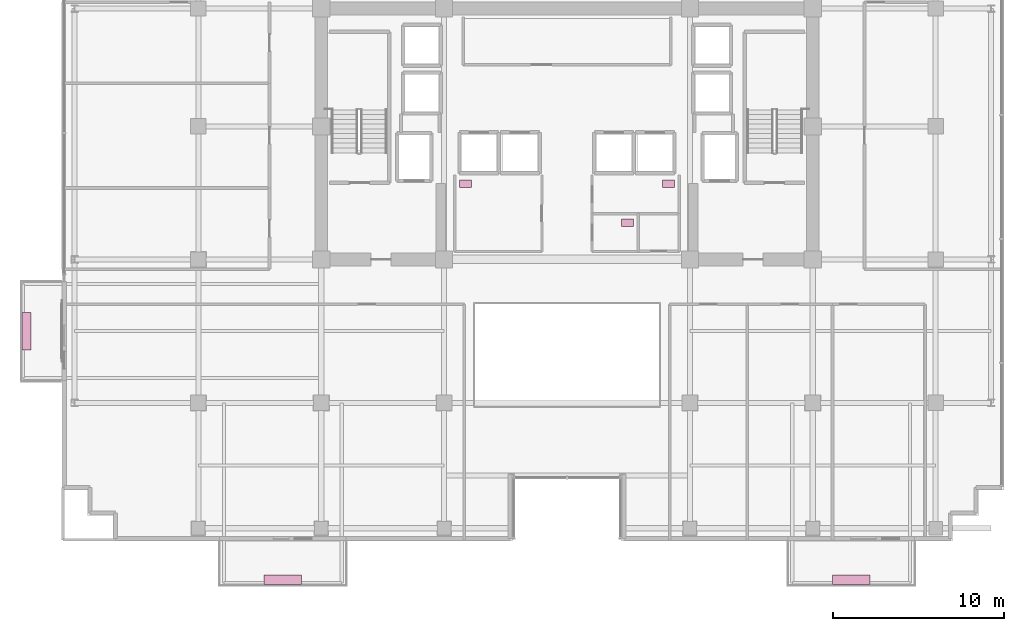
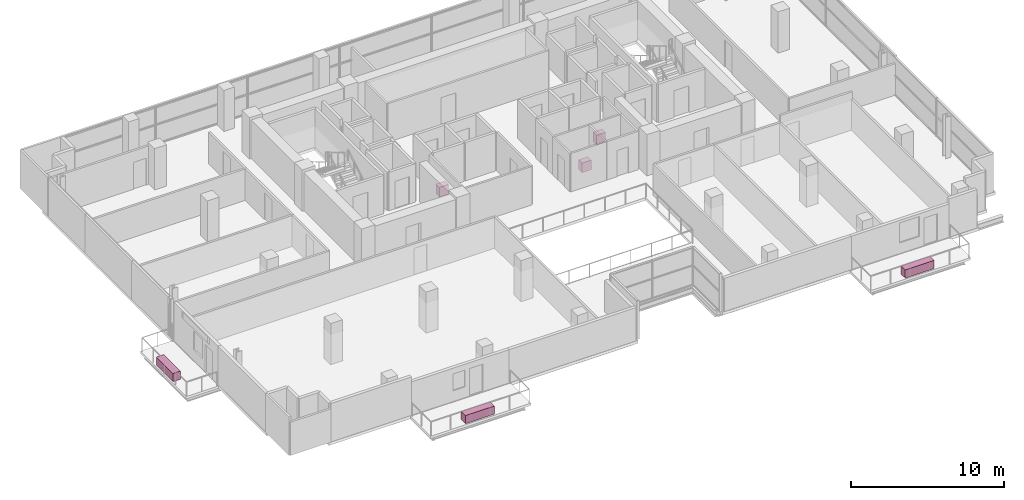
# One storey, part 28 of 28: 6 furnishings.
"""IFC4 building model written with IfcOpenShell, lengths in metres."""

from ifc_helpers import new_model, si_unit, direction, frame, origin, origin_2d, place, context, subcontext, project, spatial, rectangle, extrude, source, transform, mapped, material, type_object, element, save


model = new_model("IFC4")

# Units and contexts
model_context = context("Model", 3, precision=1e-05, world=origin(), true_north=direction((0.0, 1.0)))
body_context = subcontext(model_context, "Body", "Model", "MODEL_VIEW")
ifc_project = project(units=[si_unit("LENGTHUNIT", "METRE"), si_unit("AREAUNIT", "SQUARE_METRE"), si_unit("VOLUMEUNIT", "CUBIC_METRE"), si_unit("PLANEANGLEUNIT", "RADIAN"), si_unit("MASSUNIT", "GRAM", prefix="KILO")], contexts=[model_context])

# Site, building, storey
site_placement = place(None, origin())
site = spatial("IfcSite", under=ifc_project, at=site_placement, CompositionType="ELEMENT")
building_placement = place(site_placement, origin())
building = spatial("IfcBuilding", under=site, at=building_placement, Name="Zarnakvel Exchange Tower", CompositionType="ELEMENT")
storey_placement = place(building_placement, frame((0.0, 0.0, 103.300048828125)))
storey = spatial("IfcBuildingStorey", under=building, at=storey_placement, Name="L28", CompositionType="ELEMENT", Elevation=103.300048828125)

# Furnishings
ifc_material_1 = material(Name="Architectural Bronze Anodised Aluminium", Category="aluminium")
furnishing_element_type_1 = type_object("IfcFurnishingElementType", Name="PLNT-01", material=ifc_material_1)
shared_shape_1 = source(origin(), body_context, "Body", "SweptSolid", [
    extrude(rectangle(XDim=2.199951171875, YDim=0.550048828125, at=origin_2d()), origin(), (0.0, 0.0, 1.0), 0.64990234375),
])
for number, where, z_axis, x_axis, name in (
    (1, (-16.64990234375, -19.969970703125, -0.034912109375), (0.0, 0.0, 1.0), (1.0, 0.0, 0.0), "L28 Balcony Greenery Planter BAL-L28-SW"),
    (2, (16.64990234375, -19.969970703125, -0.034912109375), (0.0, 0.0, 1.0), (1.0, 0.0, 0.0), "L28 Balcony Greenery Planter BAL-L28-SE"),
    (3, (-31.669921875, -5.39990234375, -0.034912109375), (0.0, 0.0, 1.0), (0.0, 1.0, 0.0), "L28 Balcony Greenery Planter BAL-L28-W"),
):
    element("IfcFurnishingElement", number, at=place(storey_placement, frame(where, z_axis=z_axis, x_axis=x_axis)), inside=storey, type_object=furnishing_element_type_1, Name=name, ObjectType="PLANTER", context=body_context, shape_type="MappedRepresentation", body=[
        mapped(shared_shape_1, transform((0.0, 0.0, 0.0), x_axis=(1.0, 0.0, 0.0), y_axis=(0.0, 1.0, 0.0), z_axis=(0.0, 0.0, 1.0), scale=1.0)),
    ])
ifc_material_2 = material(Name="Vitreous China Sanitaryware", Category="ceramic")
furnishing_element_type_2 = type_object("IfcFurnishingElementType", Name="SAN-WC", material=ifc_material_2)
shared_shape_2 = source(origin(), body_context, "Body", "SweptSolid", [
    extrude(rectangle(XDim=0.699951171875, YDim=0.449951171875, at=origin_2d()), origin(), (0.0, 0.0, 1.0), 0.780029296875),
])
for number, where, z_axis, x_axis, name in (
    (4, (-5.949951171875, 3.22998046875, 0.0), (0.0, 0.0, 1.0), (1.0, 0.0, 0.0), "L28 Sanitary Fixture (Male Toilet)"),
    (5, (5.949951171875, 3.22998046875, 0.0), (0.0, 0.0, 1.0), (1.0, 0.0, 0.0), "L28 Sanitary Fixture (Female Toilet)"),
    (6, (3.550048828125, 0.949951171875, 0.0), (0.0, 0.0, 1.0), (1.0, 0.0, 0.0), "L28 Sanitary Fixture (Accessible Toilet)"),
):
    element("IfcFurnishingElement", number, at=place(storey_placement, frame(where, z_axis=z_axis, x_axis=x_axis)), inside=storey, type_object=furnishing_element_type_2, Name=name, ObjectType="SANITARY_FIXTURE", context=body_context, shape_type="MappedRepresentation", body=[
        mapped(shared_shape_2, transform((0.0, 0.0, 0.0), x_axis=(1.0, 0.0, 0.0), y_axis=(0.0, 1.0, 0.0), z_axis=(0.0, 0.0, 1.0), scale=1.0)),
    ])

save(model, "model.ifc")
